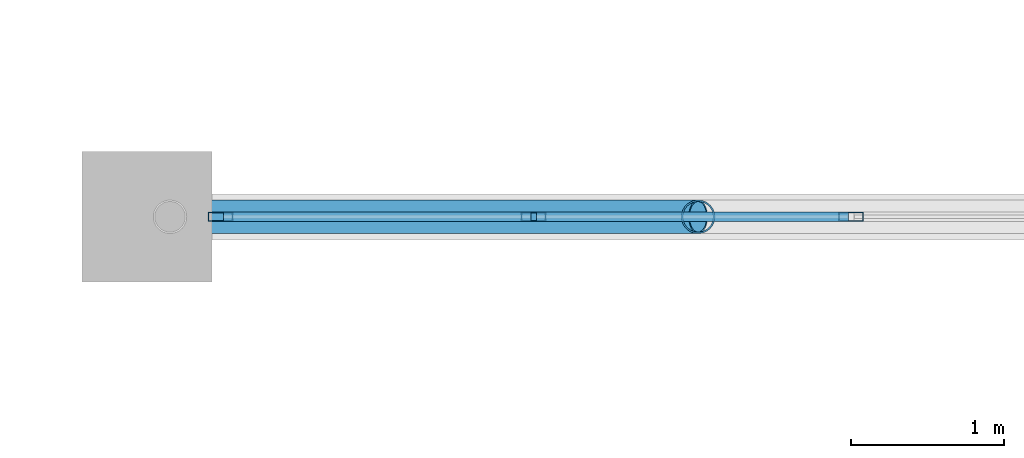
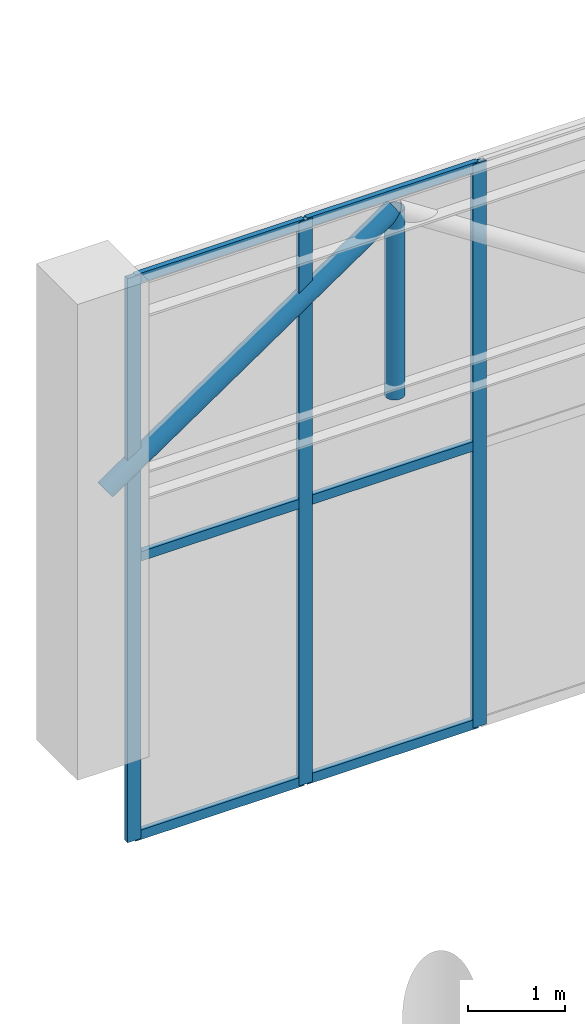
# One storey, part 62 of 153: 11 members, 1 element without a shape of its own.
"""IFC4 building model written with IfcOpenShell, lengths in metres."""

from ifc_helpers import new_model, si_unit, direction, frame, origin, origin_2d, place, context, subcontext, project, spatial, hollow_rectangle, hollow_circle, extrude, material, material_profile, profile_set, type_object, element, aggregate, save


model = new_model("IFC4")

# Units and contexts
model_context = context("Model", 3, precision=1e-05, world=origin(), true_north=direction((0.0, 1.0)))
body_context = subcontext(model_context, "Body", "Model", "MODEL_VIEW")
ifc_project = project(units=[si_unit("LENGTHUNIT", "METRE"), si_unit("AREAUNIT", "SQUARE_METRE"), si_unit("VOLUMEUNIT", "CUBIC_METRE"), si_unit("PLANEANGLEUNIT", "RADIAN"), si_unit("MASSUNIT", "GRAM", prefix="KILO")], contexts=[model_context])

# Site, building, storey
site_placement = place(None, origin())
site = spatial("IfcSite", under=ifc_project, at=site_placement, CompositionType="ELEMENT")
building_placement = place(site_placement, origin())
building = spatial("IfcBuilding", under=site, at=building_placement, Name="Qandorah Velis Arena", CompositionType="ELEMENT")
storey_placement = place(building_placement, frame((0.0, 0.0, 5.39990234375)))
storey = spatial("IfcBuildingStorey", under=building, at=storey_placement, Name="L01", CompositionType="ELEMENT", Elevation=5.39990234375)

# Curtain wall, members
ifc_material_1 = material(Name="Solar-control low-E double glazing", Category="glass")
curtain_wall_type = type_object("IfcCurtainWallType", Name="ARC-CW-SYS15", PredefinedType="USERDEFINED", material=ifc_material_1)
curtain_wall_placement = place(storey_placement, origin())
curtain_wall = element("IfcCurtainWall", 1, at=curtain_wall_placement, inside=storey, type_object=curtain_wall_type, Name="Unitised curtain wall L01-159", ObjectType="UNITISED CURTAIN WALL", PredefinedType="USERDEFINED")
ifc_material_2 = material(Name="Champagne-bronze anodized aluminium 6063-T6", Category="aluminium")
ifc_material_profile_1 = material_profile(ifc_material_2, hollow_rectangle(XDim=0.06005859375, YDim=0.159912109375, WallThickness=0.00341796875, at=origin_2d()), Name="ALU MULLION 60x160")
ifc_profile_set_1 = profile_set([ifc_material_profile_1], Name="Champagne-bronze anodized aluminium 6063-T6")
member_type_1 = type_object("IfcMemberType", Name="ARC-CWM-160", PredefinedType="MULLION", material=ifc_profile_set_1)
member_1_placement = place(storey_placement, frame((122.8798828125, 122.39990234375, -1.31494140625), z_axis=(0.0, 0.0, 1.0), x_axis=(0.0, 1.0, 0.0)))
member_1 = element("IfcMember", 2, at=member_1_placement, type_object=member_type_1, Name="CW15 mullion 1", PredefinedType="MULLION", context=body_context, shape_type="SweptSolid", body=[
    extrude(hollow_rectangle(XDim=0.06005859375, YDim=0.159912109375, WallThickness=0.00341796875, at=origin_2d()), origin(), (0.0, 0.0, 1.0), 7.110107421875),
])
member_2_placement = place(storey_placement, frame((124.925048828125, 122.39990234375, -1.31494140625), z_axis=(0.0, 0.0, 1.0), x_axis=(0.0, 1.0, 0.0)))
member_2 = element("IfcMember", 3, at=member_2_placement, type_object=member_type_1, Name="CW15 mullion 2", PredefinedType="MULLION", context=body_context, shape_type="SweptSolid", body=[
    extrude(hollow_rectangle(XDim=0.06005859375, YDim=0.159912109375, WallThickness=0.00341796875, at=origin_2d()), origin(), (0.0, 0.0, 1.0), 7.110107421875),
])
member_3_placement = place(storey_placement, frame((127.0, 122.39990234375, -1.31494140625), z_axis=(0.0, 0.0, 1.0), x_axis=(0.0, 1.0, 0.0)))
member_3 = element("IfcMember", 4, at=member_3_placement, type_object=member_type_1, Name="CW15 mullion 3", PredefinedType="MULLION", context=body_context, shape_type="SweptSolid", body=[
    extrude(hollow_rectangle(XDim=0.06005859375, YDim=0.159912109375, WallThickness=0.00341796875, at=origin_2d()), origin(), (0.0, 0.0, 1.0), 7.110107421875),
])
ifc_material_profile_2 = material_profile(ifc_material_2, hollow_rectangle(XDim=0.06005859375, YDim=0.1201171875, WallThickness=0.0029296875, at=origin_2d()), Name="ALU TRANSOM 60x120")
ifc_profile_set_2 = profile_set([ifc_material_profile_2], Name="Champagne-bronze anodized aluminium 6063-T6")
member_type_2 = type_object("IfcMemberType", Name="ARC-CWT-120", PredefinedType="USERDEFINED", material=ifc_profile_set_2)
member_4_placement = place(storey_placement, frame((122.89794921875, 122.39990234375, -1.27001953125), z_axis=(1.0, 0.0, 0.0), x_axis=(0.0, 1.0, 0.0)))
member_4 = element("IfcMember", 5, at=member_4_placement, type_object=member_type_2, Name="CW15 transom 1.1", ObjectType="TRANSOM", PredefinedType="USERDEFINED", context=body_context, shape_type="SweptSolid", body=[
    extrude(hollow_rectangle(XDim=0.06005859375, YDim=0.1201171875, WallThickness=0.0029296875, at=origin_2d()), origin(), (0.0, 0.0, 1.0), 2.009033203125),
])
member_5_placement = place(storey_placement, frame((122.89794921875, 122.39990234375, 2.239990234375), z_axis=(1.0, 0.0, 0.0), x_axis=(0.0, 1.0, 0.0)))
member_5 = element("IfcMember", 6, at=member_5_placement, type_object=member_type_2, Name="CW15 transom 1.2", ObjectType="TRANSOM", PredefinedType="USERDEFINED", context=body_context, shape_type="SweptSolid", body=[
    extrude(hollow_rectangle(XDim=0.06005859375, YDim=0.1201171875, WallThickness=0.0029296875, at=origin_2d()), origin(), (0.0, 0.0, 1.0), 2.009033203125),
])
member_6_placement = place(storey_placement, frame((122.89794921875, 122.39990234375, 5.75), z_axis=(1.0, 0.0, 0.0), x_axis=(0.0, 1.0, 0.0)))
member_6 = element("IfcMember", 7, at=member_6_placement, type_object=member_type_2, Name="CW15 transom 1.3", ObjectType="TRANSOM", PredefinedType="USERDEFINED", context=body_context, shape_type="SweptSolid", body=[
    extrude(hollow_rectangle(XDim=0.06005859375, YDim=0.1201171875, WallThickness=0.0029296875, at=origin_2d()), origin(), (0.0, 0.0, 1.0), 2.009033203125),
])
member_7_placement = place(storey_placement, frame((124.943115234375, 122.39990234375, -1.27001953125), z_axis=(1.0, 0.0, 0.0), x_axis=(0.0, 1.0, 0.0)))
member_7 = element("IfcMember", 8, at=member_7_placement, type_object=member_type_2, Name="CW15 transom 2.1", ObjectType="TRANSOM", PredefinedType="USERDEFINED", context=body_context, shape_type="SweptSolid", body=[
    extrude(hollow_rectangle(XDim=0.06005859375, YDim=0.1201171875, WallThickness=0.0029296875, at=origin_2d()), origin(), (0.0, 0.0, 1.0), 2.038818359375),
])
member_8_placement = place(storey_placement, frame((124.943115234375, 122.39990234375, 2.239990234375), z_axis=(1.0, 0.0, 0.0), x_axis=(0.0, 1.0, 0.0)))
member_8 = element("IfcMember", 9, at=member_8_placement, type_object=member_type_2, Name="CW15 transom 2.2", ObjectType="TRANSOM", PredefinedType="USERDEFINED", context=body_context, shape_type="SweptSolid", body=[
    extrude(hollow_rectangle(XDim=0.06005859375, YDim=0.1201171875, WallThickness=0.0029296875, at=origin_2d()), origin(), (0.0, 0.0, 1.0), 2.038818359375),
])
member_9_placement = place(storey_placement, frame((124.943115234375, 122.39990234375, 5.75), z_axis=(1.0, 0.0, 0.0), x_axis=(0.0, 1.0, 0.0)))
member_9 = element("IfcMember", 10, at=member_9_placement, type_object=member_type_2, Name="CW15 transom 2.3", ObjectType="TRANSOM", PredefinedType="USERDEFINED", context=body_context, shape_type="SweptSolid", body=[
    extrude(hollow_rectangle(XDim=0.06005859375, YDim=0.1201171875, WallThickness=0.0029296875, at=origin_2d()), origin(), (0.0, 0.0, 1.0), 2.038818359375),
])
aggregate(curtain_wall, [member_1, member_2, member_3, member_4, member_5, member_6, member_7, member_8, member_9])

# Members
ifc_material_3 = material(Name="Steel S355", Category="steel")
ifc_material_profile_3 = material_profile(ifc_material_3, hollow_circle(Radius=0.109619140625, WallThickness=0.010009765625, at=origin_2d()), Name="CHS 219.1x10")
ifc_profile_set_3 = profile_set([ifc_material_profile_3], Name="Steel S355")
member_type_3 = type_object("IfcMemberType", Name="STR-SFD-CHS219X10", PredefinedType="STRUT", material=ifc_profile_set_3)
member_10_placement = place(storey_placement, frame((122.550048828125, 122.39990234375, 3.205078125), z_axis=(0.826466079645, 0.0, 0.562986517774), x_axis=(0.0, 1.0, 0.0)))
element("IfcMember", 11, at=member_10_placement, inside=storey, type_object=member_type_3, Name="Practice court roof truss 5 web diagonal 1", PredefinedType="STRUT", context=body_context, shape_type="SweptSolid", body=[
    extrude(hollow_circle(Radius=0.109619140625, WallThickness=0.010009765625, at=origin_2d()), origin(), (0.0, 0.0, 1.0), 4.17431640625),
])
member_11_placement = place(storey_placement, frame((126.0, 122.39990234375, 3.205078125), z_axis=(0.0, 0.0, 1.0), x_axis=(1.0, 0.0, 0.0)))
element("IfcMember", 12, at=member_11_placement, inside=storey, type_object=member_type_3, Name="Practice court roof truss 5 vertical 2", PredefinedType="STRUT", context=body_context, shape_type="SweptSolid", body=[
    extrude(hollow_circle(Radius=0.109619140625, WallThickness=0.010009765625, at=origin_2d()), origin(), (0.0, 0.0, 1.0), 2.35009765625),
])

save(model, "model.ifc")
